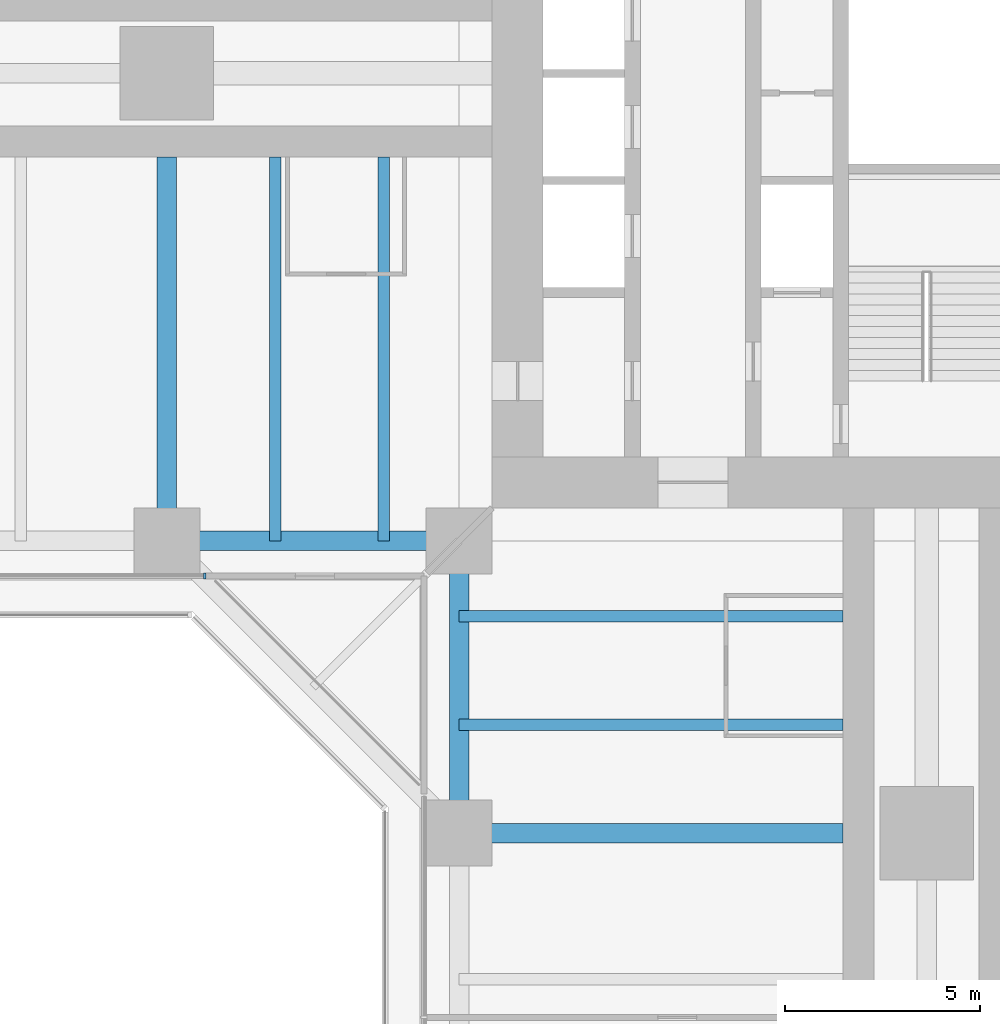
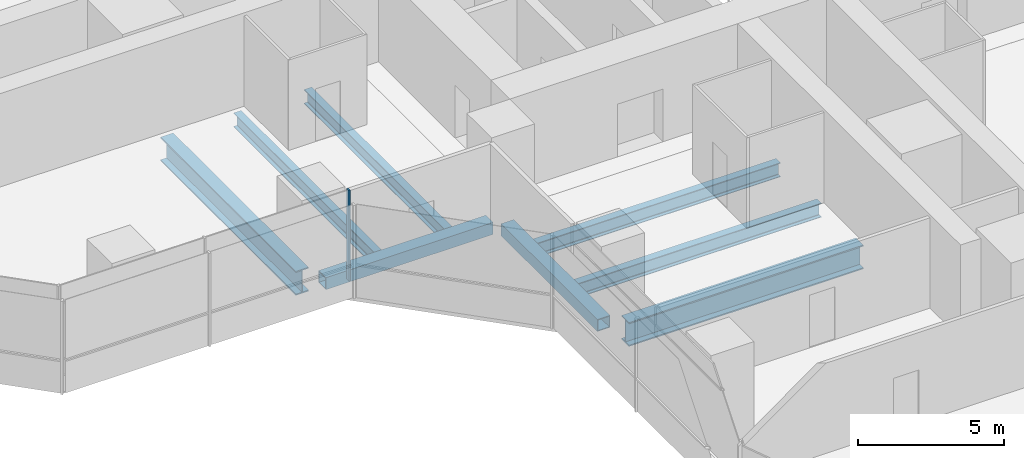
# One storey, part 4 of 22: 8 beams, 1 member, 1 element without a shape of its own.
"""IFC4 building model written with IfcOpenShell, lengths in metres."""

from ifc_helpers import new_model, si_unit, direction, frame, origin, origin_2d, place, context, subcontext, project, spatial, rectangle, hollow_rectangle, i_section, extrude, material, material_profile, profile_set, type_object, element, aggregate, save


model = new_model("IFC4")

# Units and contexts
model_context = context("Model", 3, precision=1e-05, world=origin(), true_north=direction((0.0, 1.0)))
body_context = subcontext(model_context, "Body", "Model", "MODEL_VIEW")
ifc_project = project(units=[si_unit("LENGTHUNIT", "METRE"), si_unit("AREAUNIT", "SQUARE_METRE"), si_unit("VOLUMEUNIT", "CUBIC_METRE"), si_unit("PLANEANGLEUNIT", "RADIAN"), si_unit("MASSUNIT", "GRAM", prefix="KILO")], contexts=[model_context])

# Site, building, storey
site_placement = place(None, origin())
site = spatial("IfcSite", under=ifc_project, at=site_placement, CompositionType="ELEMENT")
building_placement = place(site_placement, origin())
building = spatial("IfcBuilding", under=site, at=building_placement, Name="Mizan Broadcast Tower", CompositionType="ELEMENT")
storey_placement = place(building_placement, frame((0.0, 0.0, 94.199951171875)))
storey = spatial("IfcBuildingStorey", under=building, at=storey_placement, Name="L20", CompositionType="ELEMENT", Elevation=94.199951171875)

# Beams
ifc_material_1 = material(Name="Steel S355", Category="steel")
ifc_material_profile_1 = material_profile(ifc_material_1, hollow_rectangle(XDim=0.5, YDim=0.5, WallThickness=0.030029296875, at=origin_2d()), Name="BOX 500x500x30")
ifc_profile_set_1 = profile_set([ifc_material_profile_1], Name="Steel S355")
beam_type_1 = type_object("IfcBeamType", Name="EDGE BEAM BOX 500x500x30", PredefinedType="SPANDREL", material=ifc_profile_set_1)
for number, where, z_axis, x_axis, name in (
    (1, (-12.449951171875, -12.0, -0.3798828125), (-1.0, 0.0, 0.0), (0.0, -1.0, 0.0), "Edge beam BOX 500x500x30 L20 west arm"),
    (2, (-12.0, -12.449951171875, -0.3798828125), (0.0, -1.0, 0.0), (1.0, 0.0, 0.0), "Edge beam BOX 500x500x30 L20 south arm"),
):
    element("IfcBeam", number, at=place(storey_placement, frame(where, z_axis=z_axis, x_axis=x_axis)), inside=storey, type_object=beam_type_1, Name=name, PredefinedType="SPANDREL", context=body_context, shape_type="SweptSolid", body=[
        extrude(hollow_rectangle(XDim=0.5, YDim=0.5, WallThickness=0.030029296875, at=origin_2d()), origin(), (0.0, 0.0, 1.0), 6.60009765625),
    ])
ifc_material_2 = material(Name="Steel S460", Category="steel")
ifc_material_profile_2 = material_profile(ifc_material_2, i_section(OverallWidth=0.5, OverallDepth=1.0, WebThickness=0.02490234375, FlangeThickness=0.050048828125, at=origin_2d()), Name="WPG 1000x500")
ifc_profile_set_2 = profile_set([ifc_material_profile_2], Name="Steel S460")
beam_type_2 = type_object("IfcBeamType", Name="GIRDER WPG 1000x500", PredefinedType="BEAM", material=ifc_profile_set_2)
for number, where, z_axis, x_axis, name in (
    (3, (-19.5, -11.408935546875, -0.6298828125), (0.0, 1.0, 0.0), (-1.0, 0.0, 0.0), "Girder WPG 1000x500 L20 west arm"),
    (4, (-11.408935546875, -19.5, -0.6298828125), (1.0, 0.0, 0.0), (0.0, 1.0, 0.0), "Girder WPG 1000x500 L20 south arm"),
):
    element("IfcBeam", number, at=place(storey_placement, frame(where, z_axis=z_axis, x_axis=x_axis)), inside=storey, type_object=beam_type_2, Name=name, PredefinedType="BEAM", context=body_context, shape_type="SweptSolid", body=[
        extrude(i_section(OverallWidth=0.5, OverallDepth=1.0, WebThickness=0.02490234375, FlangeThickness=0.050048828125, at=origin_2d()), origin(), (0.0, 0.0, 1.0), 9.259033203125),
    ])

# Curtain wall, member
ifc_material_3 = material(Name="Aluminium framed glazing", Category="aluminium")
curtain_wall_type = type_object("IfcCurtainWallType", Name="INNER SKIN LOW ZONE", PredefinedType="USERDEFINED", material=ifc_material_3)
curtain_wall_placement = place(storey_placement, origin())
curtain_wall = element("IfcCurtainWall", 5, at=curtain_wall_placement, inside=storey, type_object=curtain_wall_type, Name="Inner skin low zone L20 W side", ObjectType="INNER SKIN LOW ZONE", PredefinedType="USERDEFINED")
ifc_material_4 = material(Name="Aluminium, pale anodised", Category="aluminium")
ifc_material_profile_3 = material_profile(ifc_material_4, rectangle(XDim=0.159912109375, YDim=0.06005859375, at=origin_2d()), Name="MULLION 160x60")
ifc_profile_set_3 = profile_set([ifc_material_profile_3], Name="Aluminium, pale anodised")
member_type = type_object("IfcMemberType", Name="INNER SKIN MULLION 60x160", PredefinedType="MULLION", material=ifc_profile_set_3)
member_placement = place(storey_placement, frame((-18.530029296875, -12.89990234375, 0.0), z_axis=(0.0, 0.0, 1.0), x_axis=(0.0, 1.0, 0.0)))
member = element("IfcMember", 6, at=member_placement, type_object=member_type, Name="Inner skin low zone L20 W side mullion 3", PredefinedType="MULLION", context=body_context, shape_type="SweptSolid", body=[
    extrude(rectangle(XDim=0.159912109375, YDim=0.06005859375, at=origin_2d()), origin(), (0.0, 0.0, 1.0), 3.77001953125),
])
aggregate(curtain_wall, [member])

# Beams
ifc_material_5 = material(Name="Steel S355", Category="steel")
ifc_material_profile_4 = material_profile(ifc_material_5, i_section(OverallWidth=0.300048828125, OverallDepth=0.590087890625, WebThickness=0.012939453125, FlangeThickness=0.02490234375, FilletRadius=0.027099609375, at=origin_2d()), Name="HEA 600")
ifc_profile_set_4 = profile_set([ifc_material_profile_4], Name="Steel S355")
beam_type_3 = type_object("IfcBeamType", Name="SECONDARY BEAM HEA 600", PredefinedType="JOIST", material=ifc_profile_set_4)
for number, where, z_axis, x_axis, name in (
    (7, (-13.933349609375, -12.0, -0.425048828125), (0.0, 1.0, 0.0), (-1.0, 0.0, 0.0), "Secondary beam HEA 600 L20 west arm"),
    (8, (-16.716552734375, -12.0, -0.425048828125), (0.0, 1.0, 0.0), (-1.0, 0.0, 0.0), "Secondary beam HEA 600 L20 west arm"),
    (9, (-12.0, -13.933349609375, -0.425048828125), (1.0, 0.0, 0.0), (0.0, 1.0, 0.0), "Secondary beam HEA 600 L20 south arm"),
    (10, (-12.0, -16.716552734375, -0.425048828125), (1.0, 0.0, 0.0), (0.0, 1.0, 0.0), "Secondary beam HEA 600 L20 south arm"),
):
    element("IfcBeam", number, at=place(storey_placement, frame(where, z_axis=z_axis, x_axis=x_axis)), inside=storey, type_object=beam_type_3, Name=name, PredefinedType="JOIST", context=body_context, shape_type="SweptSolid", body=[
        extrude(i_section(OverallWidth=0.300048828125, OverallDepth=0.590087890625, WebThickness=0.012939453125, FlangeThickness=0.02490234375, FilletRadius=0.027099609375, at=origin_2d()), origin(), (0.0, 0.0, 1.0), 9.85009765625),
    ])

save(model, "model.ifc")
